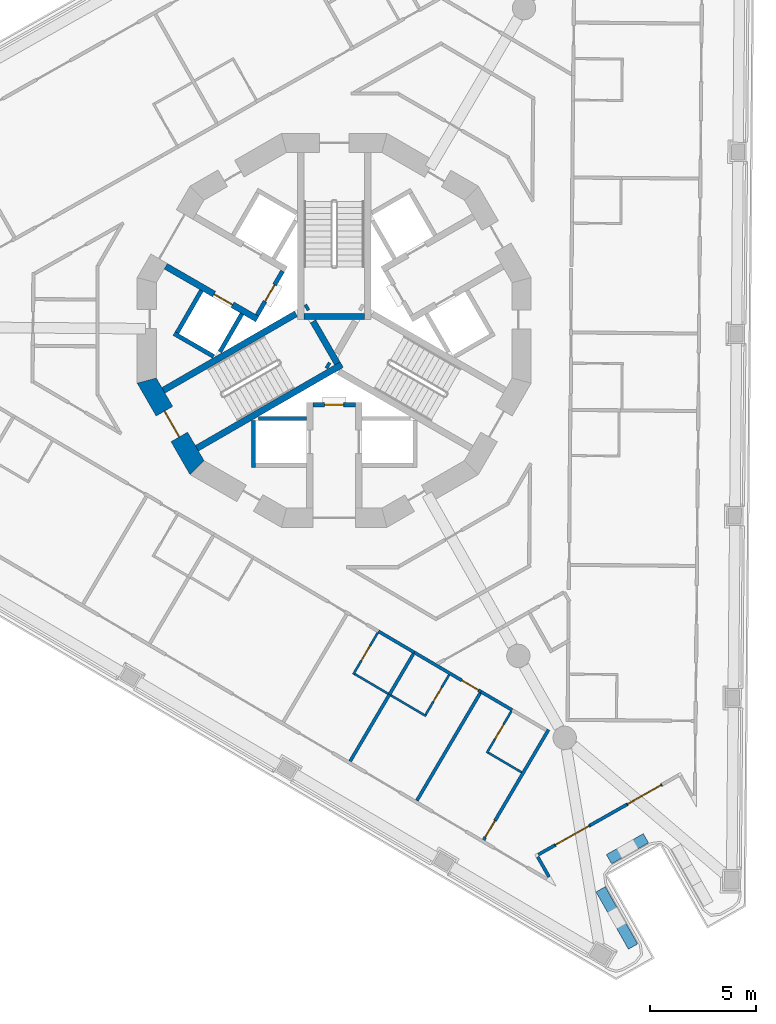
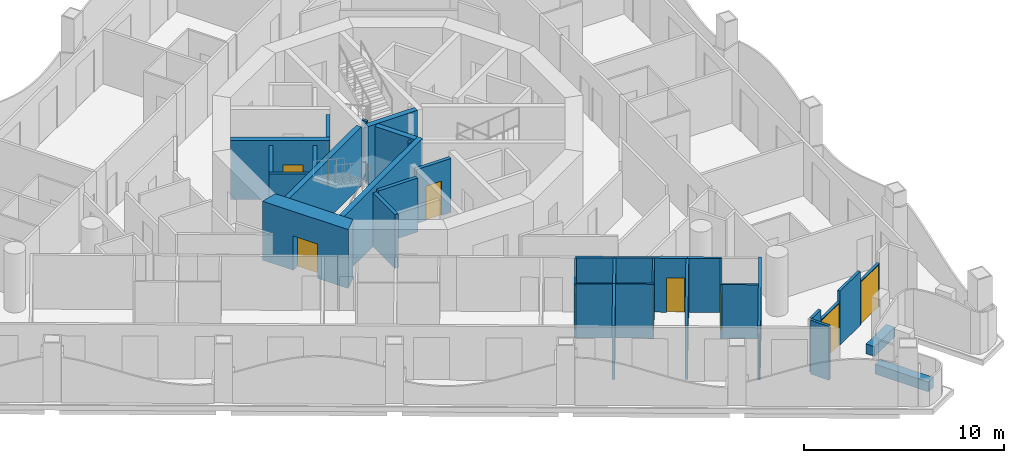
# One storey, part 4 of 17: 35 walls, 11 doors, 11 openings.
"""IFC4 building model written with IfcOpenShell, lengths in metres."""

import ifcopenshell
import ifcopenshell.guid

model = None  # the IFC model being written
_history = None  # IfcOwnerHistory: only IFC2X3 demands one
_inside = {}  # id of a spatial element -> (the spatial element, [elements in it])
_under = {}  # id of a project, library or spatial element -> (it, [spatial elements below it])
_declared = {}  # id of a project -> (the project, [libraries it declares])
_typed = {}  # id of a type object -> (the type object, [elements of that type])
_made_of = {}  # id of a material, layer set ... -> (it, [elements and type objects made of it])


def new_model(schema):
    """Start an empty IFC model of exactly this schema.

    Asked for "IFC4X3", IfcOpenShell would pick the latest addendum, in which some entities
    have other attributes; the version numbers below select the first issue.
    IFC2X3 requires an IfcOwnerHistory on every rooted entity: one is made here for all.
    """
    global model, _history
    if schema == "IFC4X3":
        model = ifcopenshell.file(schema_version=(4, 3, 0, 0))
    else:
        model = ifcopenshell.file(schema=schema)
    _inside.clear()
    _under.clear()
    _declared.clear()
    _typed.clear()
    _made_of.clear()
    _history = None
    if model.schema == "IFC2X3":
        org = make("IfcOrganization", Name="unknown")
        user = make(
            "IfcPersonAndOrganization",
            ThePerson=make("IfcPerson", FamilyName="unknown"),
            TheOrganization=org,
        )
        app = make(
            "IfcApplication",
            ApplicationDeveloper=org,
            Version="unknown",
            ApplicationFullName="unknown",
            ApplicationIdentifier="unknown",
        )
        _history = make(
            "IfcOwnerHistory",
            OwningUser=user,
            OwningApplication=app,
            ChangeAction="ADDED",
            CreationDate=0,
        )
    return model


def make(cls, **values):
    """One entity of the class cls with the attributes given. An attribute that is None is left unset."""
    return model.create_entity(
        cls, **{name: value for name, value in values.items() if value is not None}
    )


def rooted(cls, **values):
    """An entity with a GlobalId (a new one), such as an element, a storey or a relation."""
    return make(cls, GlobalId=ifcopenshell.guid.new(), OwnerHistory=_history, **values)


def si_unit(unit_type, name, prefix=None):
    """IfcSIUnit, for example si_unit("LENGTHUNIT", "METRE", prefix="MILLI")."""
    return make("IfcSIUnit", UnitType=unit_type, Prefix=prefix, Name=name)


def assignment(units):
    """IfcUnitAssignment: the units of a project."""
    return None if units is None else make("IfcUnitAssignment", Units=units)


def point(xyz):
    """IfcCartesianPoint."""
    return None if xyz is None else make("IfcCartesianPoint", Coordinates=xyz)


def direction(xyz):
    """IfcDirection."""
    return None if xyz is None else make("IfcDirection", DirectionRatios=xyz)


def frame(location, z_axis=None, x_axis=None):
    """IfcAxis2Placement3D, a coordinate frame: its origin and axes. An axis left out is left unset."""
    return make(
        "IfcAxis2Placement3D",
        Location=point(location),
        Axis=direction(z_axis),
        RefDirection=direction(x_axis),
    )


def frame_2d(location, x_axis=None):
    """IfcAxis2Placement2D, a coordinate frame in the plane: its origin and x axis."""
    return make(
        "IfcAxis2Placement2D", Location=point(location), RefDirection=direction(x_axis)
    )


def origin():
    """The frame at (0, 0, 0) with its axes left unset."""
    return frame((0.0, 0.0, 0.0))


def place(relative_to, where):
    """IfcLocalPlacement: puts the frame where relative to a parent placement (None: the world)."""
    return make(
        "IfcLocalPlacement", PlacementRelTo=relative_to, RelativePlacement=where
    )


def context(
    kind, dimensions, precision=None, world=None, true_north=None, identifier=None
):
    """IfcGeometricRepresentationContext, for example the 3D "Model" context."""
    return make(
        "IfcGeometricRepresentationContext",
        ContextIdentifier=identifier,
        ContextType=kind,
        CoordinateSpaceDimension=dimensions,
        Precision=precision,
        WorldCoordinateSystem=world,
        TrueNorth=true_north,
    )


def subcontext(parent, identifier, kind, view, scale=None):
    """IfcGeometricRepresentationSubContext, for example "Body" below "Model"."""
    return make(
        "IfcGeometricRepresentationSubContext",
        ContextIdentifier=identifier,
        ContextType=kind,
        ParentContext=parent,
        TargetScale=scale,
        TargetView=view,
    )


def project(units=None, contexts=None):
    """IfcProject with its units and contexts."""
    return rooted(
        "IfcProject",
        Name="project",
        RepresentationContexts=contexts,
        UnitsInContext=assignment(units),
    )


def spatial(cls, under=None, at=None, **own):
    """A site, building, storey or space (cls), placed at a placement, below another one or the project."""
    s = rooted(cls, ObjectPlacement=at, **own)
    if under is not None:
        _under.setdefault(under.id(), (under, []))[1].append(s)
    return s


def polyline(points):
    """IfcPolyline through the points."""
    return make("IfcPolyline", Points=[point(p) for p in points])


def profile(cls, at=None, kind="AREA", **sizes):
    """A parametric profile (cls). Its sizes go by their IFC names, for example OverallWidth=200.0."""
    return make(cls, ProfileType=kind, Position=at, **sizes)


def rectangle(**sizes):
    """IfcRectangleProfileDef."""
    return profile("IfcRectangleProfileDef", **sizes)


def outline(outer, holes=None, kind="AREA"):
    """IfcArbitraryClosedProfileDef: a profile drawn as a closed curve; with holes, ...WithVoids."""
    if holes is None:
        return make("IfcArbitraryClosedProfileDef", ProfileType=kind, OuterCurve=outer)
    return make(
        "IfcArbitraryProfileDefWithVoids",
        ProfileType=kind,
        OuterCurve=outer,
        InnerCurves=holes,
    )


def extrude(swept, where, along, depth):
    """IfcExtrudedAreaSolid: the profile swept, set in the frame where, extruded along a direction by depth."""
    return make(
        "IfcExtrudedAreaSolid",
        SweptArea=swept,
        Position=where,
        ExtrudedDirection=direction(along),
        Depth=depth,
    )


def shape(context_of_items, identifier, shape_type, items):
    """IfcShapeRepresentation: the items that make up one representation, for example the "Body"."""
    return make(
        "IfcShapeRepresentation",
        ContextOfItems=context_of_items,
        RepresentationIdentifier=identifier,
        RepresentationType=shape_type,
        Items=items,
    )


def material(Name=None, Category=None):
    """IfcMaterial."""
    return make("IfcMaterial", Name=Name, Category=Category)


def layer(
    of_material, thickness, ventilated=None, Name=None, Category=None, Priority=None
):
    """IfcMaterialLayer: one layer of a wall or slab, of a material (None: an air gap)."""
    return make(
        "IfcMaterialLayer",
        Material=of_material,
        LayerThickness=thickness,
        IsVentilated=ventilated,
        Name=Name,
        Category=Category,
        Priority=Priority,
    )


def layer_set(layers, Name=None):
    """IfcMaterialLayerSet."""
    return make("IfcMaterialLayerSet", MaterialLayers=layers, LayerSetName=Name)


def made_of(thing, what):
    """Note that an element or type object is made of a material, layer set ...; save() writes the relation."""
    if what is not None:
        _made_of.setdefault(what.id(), (what, []))[1].append(thing)
    return thing


def type_object(cls, material=None, **own):
    """A type object (cls), such as IfcWallType, which elements share."""
    return made_of(rooted(cls, **own), material)


def element(
    cls,
    number,
    at=None,
    inside=None,
    cuts=None,
    type_object=None,
    material=None,
    context=None,
    identifier="Body",
    shape_type=None,
    held_by="IfcProductDefinitionShape",
    body=None,
    shapes=None,
    **own,
):
    """One element of the class cls, such as IfcWall. Its Tag is "e" and its number.

    at: its placement. inside: the storey or other place that contains it. cuts: it is an
    opening in that element (IfcRelVoidsElement). A single representation is given by context,
    identifier, shape_type and body (its items); several are given by shapes. held_by: the class
    of the entity that holds the representations. save() writes the other relations.
    """
    e = rooted(cls, Tag="e%d" % number, ObjectPlacement=at, **own)
    if body is not None:
        shapes = [shape(context, identifier, shape_type, body)]
    if shapes is not None:
        e.Representation = make(held_by, Representations=shapes)
    if inside is not None:
        _inside.setdefault(inside.id(), (inside, []))[1].append(e)
    if cuts is not None:
        rooted(
            "IfcRelVoidsElement", RelatingBuildingElement=cuts, RelatedOpeningElement=e
        )
    if type_object is not None:
        _typed.setdefault(type_object.id(), (type_object, []))[1].append(e)
    return made_of(e, material)


def fill(opening, filler):
    """IfcRelFillsElement: the door or window that sits in an opening."""
    return rooted(
        "IfcRelFillsElement",
        RelatingOpeningElement=opening,
        RelatedBuildingElement=filler,
    )


def aggregate(whole, parts):
    """IfcRelAggregates: a whole, such as a stair, and the parts it consists of."""
    return rooted("IfcRelAggregates", RelatingObject=whole, RelatedObjects=parts)


def save(model, path):
    """Write the relations noted so far, then the file.

    IfcRelAggregates (storeys below a building ...), IfcRelContainedInSpatialStructure (elements
    in a storey), IfcRelDefinesByType, IfcRelAssociatesMaterial and IfcRelDeclares: one each for
    every whole, place, type object, material and project.
    """
    for whole, parts in _under.values():
        aggregate(whole, parts)
    for where, things in _inside.values():
        rooted(
            "IfcRelContainedInSpatialStructure",
            RelatedElements=things,
            RelatingStructure=where,
        )
    for kind, things in _typed.values():
        rooted("IfcRelDefinesByType", RelatedObjects=things, RelatingType=kind)
    for what, things in _made_of.values():
        rooted("IfcRelAssociatesMaterial", RelatedObjects=things, RelatingMaterial=what)
    for by, libraries in _declared.values():
        rooted("IfcRelDeclares", RelatingContext=by, RelatedDefinitions=libraries)
    model.write(path)


model = new_model("IFC4")

# Units and contexts
model_context = context("Model", 3, precision=1e-05, world=origin(), true_north=direction((0.0, 1.0)))
body_context = subcontext(model_context, "Body", "Model", "MODEL_VIEW")
ifc_project = project(units=[si_unit("LENGTHUNIT", "METRE"), si_unit("AREAUNIT", "SQUARE_METRE"), si_unit("VOLUMEUNIT", "CUBIC_METRE"), si_unit("PLANEANGLEUNIT", "RADIAN"), si_unit("MASSUNIT", "GRAM", prefix="KILO")], contexts=[model_context])

# Site, building, storey
site_placement = place(None, origin())
site = spatial("IfcSite", under=ifc_project, at=site_placement, CompositionType="ELEMENT")
building_placement = place(site_placement, origin())
building = spatial("IfcBuilding", under=site, at=building_placement, Name="Trine Commons Tower", CompositionType="ELEMENT")
storey_placement = place(building_placement, frame((0.0, 0.0, 164.699951171875)))
storey = spatial("IfcBuildingStorey", under=building, at=storey_placement, Name="L42", CompositionType="ELEMENT", Elevation=164.699951171875)

# Wall, opening, door
ifc_material_1 = material(Name="Aluminium-framed insulated wall panel", Category="aluminium")
ifc_layer_1 = layer(ifc_material_1, 0.14990234375)
ifc_layer_set_1 = layer_set([ifc_layer_1], Name="Aluminium-framed insulated wall panel")
wall_type_1 = type_object("IfcWallType", Name="Glazed frame wall 150, EI 60", PredefinedType="SOLIDWALL", material=ifc_layer_set_1)
wall_1_placement = place(storey_placement, frame((95.430419921875, 41.115966796875, 0.0), z_axis=(0.0, 0.0, 1.0), x_axis=(-0.870354540841, -0.492425601728, 0.0)))
wall_1 = element("IfcWall", 1, at=wall_1_placement, inside=storey, type_object=wall_type_1, Name="Glazed frame wall P3.2", PredefinedType="SOLIDWALL", context=body_context, shape_type="SweptSolid", body=[
    extrude(outline(polyline([(0.0, -0.074951171875), (1.89990234375, -0.074951171875), (1.89990234375, 0.074951171875), (0.0, 0.074951171875), (0.0, -0.074951171875)])), origin(), (0.0, 0.0, 1.0), 2.650146484375),
])
opening_1_placement = place(wall_1_placement, frame((0.050048828125, 0.0, 0.0)))
opening_1 = element("IfcOpeningElement", 2, at=opening_1_placement, cuts=wall_1, Name="Opening BD-5P3-01", PredefinedType="OPENING", context=body_context, shape_type="SweptSolid", body=[
    extrude(rectangle(XDim=1.800048828125, YDim=2.60009765625, at=frame_2d((0.89990234375, 1.300048828125))), frame((0.0, 0.0849609375, 0.0), z_axis=(0.0, -1.0, 0.0), x_axis=(1.0, 0.0, 0.0)), (0.0, 0.0, 1.0), 0.169921875),
])
ifc_material_2 = material(Name="Anodised aluminium frame with double glazing", Category="aluminium")
door_type_1 = type_object("IfcDoorType", Name="Sliding loggia door 1800x2600", OperationType="SLIDING_TO_LEFT", PredefinedType="DOOR", material=ifc_material_2)
door_1_placement = place(opening_1_placement, origin())
door_1 = element("IfcDoor", 3, at=door_1_placement, inside=storey, type_object=door_type_1, Name="Loggia door P3 1", OperationType="SLIDING_TO_LEFT", OverallHeight=2.60009765625, OverallWidth=1.800048828125, PredefinedType="DOOR", context=body_context, shape_type="SweptSolid", body=[
    extrude(rectangle(XDim=1.800048828125, YDim=2.60009765625, at=frame_2d((0.89990234375, 1.300048828125))), frame((0.0, 0.02490234375, 0.0), z_axis=(0.0, -1.0, 0.0), x_axis=(1.0, 0.0, 0.0)), (0.0, 0.0, 1.0), 0.050048828125),
])
fill(opening_1, door_1)

# Wall
wall_2_placement = place(storey_placement, frame((93.77685546875, 40.180419921875, 0.0), z_axis=(0.0, 0.0, 1.0), x_axis=(-0.870353598469, -0.492427267353, 0.0)))
element("IfcWall", 4, at=wall_2_placement, inside=storey, type_object=wall_type_1, Name="Glazed frame wall P3.3", PredefinedType="SOLIDWALL", context=body_context, shape_type="SweptSolid", body=[
    extrude(outline(polyline([(0.0, -0.074951171875), (2.0, -0.074951171875), (2.0, 0.074951171875), (0.0, 0.074951171875), (0.0, -0.074951171875)])), origin(), (0.0, 0.0, 1.0), 3.300048828125),
])

# Wall, opening, door
wall_3_placement = place(storey_placement, frame((92.0361328125, 39.195556640625, 0.0), z_axis=(0.0, 0.0, 1.0), x_axis=(-0.870385695537, -0.492370532226, 0.0)))
wall_3 = element("IfcWall", 5, at=wall_3_placement, inside=storey, type_object=wall_type_1, Name="Glazed frame wall P3.4", PredefinedType="SOLIDWALL", context=body_context, shape_type="SweptSolid", body=[
    extrude(outline(polyline([(0.0, -0.074951171875), (1.89990234375, -0.074951171875), (1.89990234375, 0.074951171875), (0.0, 0.074951171875), (0.0, -0.074951171875)])), origin(), (0.0, 0.0, 1.0), 2.650146484375),
])
opening_2_placement = place(wall_3_placement, frame((0.050048828125, 0.0, 0.0)))
opening_2 = element("IfcOpeningElement", 6, at=opening_2_placement, cuts=wall_3, Name="Opening BD-5P3-02", PredefinedType="OPENING", context=body_context, shape_type="SweptSolid", body=[
    extrude(rectangle(XDim=1.800048828125, YDim=2.60009765625, at=frame_2d((0.89990234375, 1.300048828125))), frame((0.0, 0.0849609375, 0.0), z_axis=(0.0, -1.0, 0.0), x_axis=(1.0, 0.0, 0.0)), (0.0, 0.0, 1.0), 0.169921875),
])
door_2_placement = place(opening_2_placement, origin())
door_2 = element("IfcDoor", 7, at=door_2_placement, inside=storey, type_object=door_type_1, Name="Loggia door P3 2", OperationType="SLIDING_TO_LEFT", OverallHeight=2.60009765625, OverallWidth=1.800048828125, PredefinedType="DOOR", context=body_context, shape_type="SweptSolid", body=[
    extrude(rectangle(XDim=1.800048828125, YDim=2.60009765625, at=frame_2d((0.89990234375, 1.300048828125))), frame((0.0, 0.02490234375, 0.0), z_axis=(0.0, -1.0, 0.0), x_axis=(1.0, 0.0, 0.0)), (0.0, 0.0, 1.0), 0.050048828125),
])
fill(opening_2, door_2)

# Walls
wall_4_placement = place(storey_placement, frame((90.38232421875, 38.260009765625, 0.0), z_axis=(0.0, 0.0, 1.0), x_axis=(-0.870294379776, -0.492531920316, 0.0)))
element("IfcWall", 8, at=wall_4_placement, inside=storey, type_object=wall_type_1, Name="Glazed frame wall P3.5", PredefinedType="SOLIDWALL", context=body_context, shape_type="SweptSolid", body=[
    extrude(outline(polyline([(0.889892578125, 0.074951171875), (0.0, 0.074951171875), (0.0, -0.074951171875), (0.889892578125, -0.074951171875), (0.889892578125, 0.074951171875)])), origin(), (0.0, 0.0, 1.0), 3.300048828125),
])
wall_5_placement = place(storey_placement, frame((89.525390625, 37.815185546875, 0.0), z_axis=(0.0, 0.0, 1.0), x_axis=(0.492302481267, -0.870424187933, 0.0)))
element("IfcWall", 9, at=wall_5_placement, inside=storey, type_object=wall_type_1, Name="Glazed frame wall R11", PredefinedType="SOLIDWALL", context=body_context, shape_type="SweptSolid", body=[
    extrude(outline(polyline([(0.110107421875, 0.074951171875), (0.110107421875, -0.074951171875), (1.19580078125, -0.074951171875), (1.19580078125, 0.074951171875), (0.110107421875, 0.074951171875)])), origin(), (0.0, 0.0, 1.0), 3.300048828125),
])

# Wall, opening, door
ifc_material_3 = material(Name="Fire-rated gypsum shaft wall system")
ifc_layer_2 = layer(ifc_material_3, 0.199951171875)
ifc_layer_set_2 = layer_set([ifc_layer_2], Name="Fire-rated gypsum shaft wall system")
wall_type_2 = type_object("IfcWallType", Name="Lobby end wall 200 mm, EI 120", PredefinedType="PARTITIONING", material=ifc_layer_set_2)
wall_6_placement = place(storey_placement, frame((77.569091796875, 65.2890625, 0.0), z_axis=(0.0, 0.0, 1.0), x_axis=(-0.50012165622, -0.865955154139, 0.0)))
wall_6 = element("IfcWall", 10, at=wall_6_placement, inside=storey, type_object=wall_type_2, Name="Lobby end wall L42", PredefinedType="PARTITIONING", context=body_context, shape_type="SweptSolid", body=[
    extrude(rectangle(XDim=2.39990234375, YDim=0.199951171875, at=frame_2d((1.199951171875, 0.0))), origin(), (0.0, 0.0, 1.0), 3.300048828125),
])
opening_3_placement = place(wall_6_placement, frame((0.749755859375, 0.0, 0.0)))
opening_3 = element("IfcOpeningElement", 11, at=opening_3_placement, cuts=wall_6, Name="Opening K09.07", PredefinedType="OPENING", context=body_context, shape_type="SweptSolid", body=[
    extrude(rectangle(XDim=0.89990234375, YDim=2.10009765625, at=frame_2d((0.449951171875, 1.050048828125))), frame((0.0, 0.10986328125, 0.0), z_axis=(0.0, -1.0, 0.0), x_axis=(1.0, 0.0, 0.0)), (0.0, 0.0, 1.0), 0.219970703125),
])
ifc_material_4 = material(Name="Steel door leaf, fire-rated", Category="steel")
door_type_2 = type_object("IfcDoorType", Name="Riser access door, single leaf 900 x 2100, FD60", OperationType="SINGLE_SWING_LEFT", PredefinedType="DOOR", material=ifc_material_4)
door_3_placement = place(opening_3_placement, frame((0.89990234375, 0.0, 0.0), z_axis=(0.0, 0.0, 1.0), x_axis=(-1.0, 0.0, 0.0)))
door_3 = element("IfcDoor", 12, at=door_3_placement, inside=storey, type_object=door_type_2, Name="Riser door, Mechanical riser L42", OperationType="SINGLE_SWING_RIGHT", OverallHeight=2.10009765625, OverallWidth=0.89990234375, PredefinedType="DOOR", context=body_context, shape_type="SweptSolid", body=[
    extrude(rectangle(XDim=0.89990234375, YDim=2.10009765625, at=frame_2d((0.449951171875, 1.050048828125))), frame((0.0, 0.02490234375, 0.0), z_axis=(0.0, -1.0, 0.0), x_axis=(1.0, 0.0, 0.0)), (0.0, 0.0, 1.0), 0.050048828125),
])
fill(opening_3, door_3)

wall_7_placement = place(storey_placement, frame((79.0, 59.0, 0.0), z_axis=(0.0, 0.0, 1.0), x_axis=(1.0, 0.0, 0.0)))
wall_7 = element("IfcWall", 13, at=wall_7_placement, inside=storey, type_object=wall_type_2, Name="Lobby end wall L42", PredefinedType="PARTITIONING", context=body_context, shape_type="SweptSolid", body=[
    extrude(rectangle(XDim=2.0, YDim=0.199951171875, at=frame_2d((1.0, 0.0))), origin(), (0.0, 0.0, 1.0), 3.300048828125),
])
opening_4_placement = place(wall_7_placement, frame((0.550048828125, 0.0, 0.0)))
opening_4 = element("IfcOpeningElement", 14, at=opening_4_placement, cuts=wall_7, Name="Opening K09.09", PredefinedType="OPENING", context=body_context, shape_type="SweptSolid", body=[
    extrude(rectangle(XDim=0.89990234375, YDim=2.10009765625, at=frame_2d((0.449951171875, 1.050048828125))), frame((0.0, 0.10986328125, 0.0), z_axis=(0.0, -1.0, 0.0), x_axis=(1.0, 0.0, 0.0)), (0.0, 0.0, 1.0), 0.219970703125),
])
door_4_placement = place(opening_4_placement, frame((0.89990234375, 0.0, 0.0), z_axis=(0.0, 0.0, 1.0), x_axis=(-1.0, 0.0, 0.0)))
door_4 = element("IfcDoor", 15, at=door_4_placement, inside=storey, type_object=door_type_2, Name="Riser door, Communications riser L42", OperationType="SINGLE_SWING_RIGHT", OverallHeight=2.10009765625, OverallWidth=0.89990234375, PredefinedType="DOOR", context=body_context, shape_type="SweptSolid", body=[
    extrude(rectangle(XDim=0.89990234375, YDim=2.10009765625, at=frame_2d((0.449951171875, 1.050048828125))), frame((0.0, 0.02490234375, 0.0), z_axis=(0.0, -1.0, 0.0), x_axis=(1.0, 0.0, 0.0)), (0.0, 0.0, 1.0), 0.050048828125),
])
fill(opening_4, door_4)

# Walls
ifc_material_5 = material(Name="Planter trough, precast concrete C40/50", Category="concrete")
ifc_layer_3 = layer(ifc_material_5, 0.5)
ifc_layer_set_3 = layer_set([ifc_layer_3], Name="Planter trough, precast concrete C40/50")
wall_type_3 = type_object("IfcWallType", Name="Planter trough 500x600", PredefinedType="PARAPET", material=ifc_layer_set_3)
wall_8_placement = place(storey_placement, frame((94.67529296875, 38.592041015625, 0.0), z_axis=(0.0, 0.0, 1.0), x_axis=(-0.870323993841, -0.492479589165, 0.0)))
element("IfcWall", 16, at=wall_8_placement, inside=storey, type_object=wall_type_3, Name="Planter 8", PredefinedType="PARAPET", context=body_context, shape_type="SweptSolid", body=[
    extrude(rectangle(XDim=1.999755859375, YDim=0.5, at=frame_2d((1.0, 0.0))), origin(), (0.0, 0.0, 1.0), 0.60009765625),
])
wall_9_placement = place(storey_placement, frame((92.541748046875, 36.189697265625, 0.0), z_axis=(0.0, 0.0, 1.0), x_axis=(0.492402381783, -0.870367677717, 0.0)))
element("IfcWall", 17, at=wall_9_placement, inside=storey, type_object=wall_type_3, Name="Planter 9", PredefinedType="PARAPET", context=body_context, shape_type="SweptSolid", body=[
    extrude(rectangle(XDim=3.099853515625, YDim=0.5, at=frame_2d((1.5498046875, 0.0))), origin(), (0.0, 0.0, 1.0), 0.60009765625),
])

# Wall, opening, door
ifc_material_6 = material(Name="Concrete C60/75", Category="concrete")
ifc_layer_4 = layer(ifc_material_6, 0.300048828125)
ifc_layer_set_4 = layer_set([ifc_layer_4], Name="Concrete C60/75")
wall_type_4 = type_object("IfcWallType", Name="RC shear wall 300 mm, C60/75", PredefinedType="SHEAR", material=ifc_layer_set_4)
wall_10_placement = place(storey_placement, frame((76.381103515625, 63.031005859375, 0.0), z_axis=(0.0, 0.0, 1.0), x_axis=(-0.866080953719, 0.499903772346, 0.0)))
wall_10 = element("IfcWall", 18, at=wall_10_placement, inside=storey, type_object=wall_type_4, Name="Core cross wall SWB-01 L42", PredefinedType="SHEAR", context=body_context, shape_type="SweptSolid", body=[
    extrude(rectangle(XDim=4.97314453125, YDim=0.300048828125, at=frame_2d((2.486572265625, 0.0))), origin(), (0.0, 0.0, 1.0), 3.60009765625),
])
opening_5_placement = place(wall_10_placement, frame((1.350341796875, 0.0, 0.0)))
opening_5 = element("IfcOpeningElement", 19, at=opening_5_placement, cuts=wall_10, Name="Opening LD7", PredefinedType="OPENING", context=body_context, shape_type="SweptSolid", body=[
    extrude(rectangle(XDim=1.0, YDim=2.10009765625, at=frame_2d((0.5, 1.050048828125))), frame((0.0, 0.159912109375, 0.0), z_axis=(0.0, -1.0, 0.0), x_axis=(1.0, 0.0, 0.0)), (0.0, 0.0, 1.0), 0.320068359375),
])
ifc_material_7 = material(Name="Stainless steel sliding door leaves", Category="steel")
door_type_3 = type_object("IfcDoorType", Name="Lift landing door, centre-opening sliding 1000 x 2100, FD90", OperationType="DOUBLE_DOOR_SLIDING", PredefinedType="DOOR", material=ifc_material_7)
door_5_placement = place(opening_5_placement, origin())
door_5 = element("IfcDoor", 20, at=door_5_placement, inside=storey, type_object=door_type_3, Name="Lift landing door HR3 L42", OperationType="DOUBLE_DOOR_SLIDING", OverallHeight=2.10009765625, OverallWidth=1.0, PredefinedType="DOOR", context=body_context, shape_type="SweptSolid", body=[
    extrude(rectangle(XDim=1.0, YDim=2.10009765625, at=frame_2d((0.5, 1.050048828125))), frame((0.0, 0.02490234375, 0.0), z_axis=(0.0, -1.0, 0.0), x_axis=(1.0, 0.0, 0.0)), (0.0, 0.0, 1.0), 0.050048828125),
])
fill(opening_5, door_5)

# Walls
wall_11_placement = place(storey_placement, frame((78.199951171875, 63.280029296875, 0.0), z_axis=(0.0, 0.0, 1.0), x_axis=(-0.866028135082, -0.499995269223, 0.0)))
element("IfcWall", 21, at=wall_11_placement, inside=storey, type_object=wall_type_4, Name="Core cross wall SWB-07 L42", PredefinedType="SHEAR", context=body_context, shape_type="SweptSolid", body=[
    extrude(rectangle(XDim=7.2041015625, YDim=0.300048828125, at=frame_2d((3.60205078125, 0.0))), origin(), (0.0, 0.0, 1.0), 3.60009765625),
])
wall_12_placement = place(storey_placement, frame((78.779052734375, 63.614013671875, 0.0), z_axis=(0.0, 0.0, 1.0), x_axis=(-0.867737973955, -0.497021939713, 0.0)))
element("IfcWall", 22, at=wall_12_placement, inside=storey, type_object=wall_type_4, Name="Core cross wall SWB-09 L42", PredefinedType="SHEAR", context=body_context, shape_type="SweptSolid", body=[
    extrude(rectangle(XDim=0.14892578125, YDim=0.300048828125, at=frame_2d((0.074462890625, 0.0))), origin(), (0.0, 0.0, 1.0), 3.60009765625),
])
wall_13_placement = place(storey_placement, frame((79.0029296875, 62.926025390625, 0.0), z_axis=(0.0, 0.0, 1.0), x_axis=(0.499965247104, -0.866045467449, 0.0)))
element("IfcWall", 23, at=wall_13_placement, inside=storey, type_object=wall_type_4, Name="Core cross wall SWB-10 L42", PredefinedType="SHEAR", context=body_context, shape_type="SweptSolid", body=[
    extrude(rectangle(XDim=2.292236328125, YDim=0.300048828125, at=frame_2d((1.14599609375, 0.0))), origin(), (0.0, 0.0, 1.0), 3.60009765625),
])
wall_14_placement = place(storey_placement, frame((79.64599609375, 60.885986328125, 0.0), z_axis=(0.0, 0.0, 1.0), x_axis=(0.867331893649, -0.497730234424, 0.0)))
element("IfcWall", 24, at=wall_14_placement, inside=storey, type_object=wall_type_4, Name="Core cross wall SWB-11 L42", PredefinedType="SHEAR", context=body_context, shape_type="SweptSolid", body=[
    extrude(rectangle(XDim=0.148681640625, YDim=0.300048828125, at=frame_2d((0.07421875, 0.0))), origin(), (0.0, 0.0, 1.0), 3.60009765625),
])
wall_15_placement = place(storey_placement, frame((80.35400390625, 60.885986328125, 0.0), z_axis=(0.0, 0.0, 1.0), x_axis=(-0.866047706748, -0.499961368145, 0.0)))
element("IfcWall", 25, at=wall_15_placement, inside=storey, type_object=wall_type_4, Name="Core cross wall SWB-14 L42", PredefinedType="SHEAR", context=body_context, shape_type="SweptSolid", body=[
    extrude(rectangle(XDim=7.87255859375, YDim=0.300048828125, at=frame_2d((3.936279296875, 0.0))), origin(), (0.0, 0.0, 1.0), 3.60009765625),
])
wall_16_placement = place(storey_placement, frame((81.425048828125, 63.15087890625, 0.0), z_axis=(0.0, 0.0, 1.0), x_axis=(-1.0, 0.0, 0.0)))
element("IfcWall", 26, at=wall_16_placement, inside=storey, type_object=wall_type_4, Name="Core cross wall SWB-16 L42", PredefinedType="SHEAR", context=body_context, shape_type="SweptSolid", body=[
    extrude(rectangle(XDim=2.85009765625, YDim=0.300048828125, at=frame_2d((1.425048828125, 0.0))), origin(), (0.0, 0.0, 1.0), 3.60009765625),
])

# Wall, opening, door
ifc_layer_5 = layer(ifc_material_6, 0.89990234375)
ifc_layer_set_5 = layer_set([ifc_layer_5], Name="Concrete C60/75")
wall_type_5 = type_object("IfcWallType", Name="RC shear wall 900 mm, C60/75", PredefinedType="SHEAR", material=ifc_layer_set_5)
wall_17_placement = place(storey_placement, frame((71.11669921875, 60.240234375, 0.0), z_axis=(0.0, 0.0, 1.0), x_axis=(0.500038571144, -0.866003133579, 0.0)))
wall_17 = element("IfcWall", 27, at=wall_17_placement, inside=storey, type_object=wall_type_5, Name="Core wall CWE-08 L42", PredefinedType="SHEAR", context=body_context, shape_type="SweptSolid", body=[
    extrude(outline(polyline([(0.0, -0.449951171875), (4.96923828125, -0.449951171875), (4.72802734375, 0.449951171875), (0.2412109375, 0.449951171875), (0.0, -0.449951171875)])), origin(), (0.0, 0.0, 1.0), 3.60009765625),
])
opening_6_placement = place(wall_17_placement, frame((1.78466796875, 0.0, 0.0)))
opening_6 = element("IfcOpeningElement", 28, at=opening_6_placement, cuts=wall_17, Name="Opening K09.02", PredefinedType="OPENING", context=body_context, shape_type="SweptSolid", body=[
    extrude(rectangle(XDim=1.39990234375, YDim=2.10009765625, at=frame_2d((0.699951171875, 1.050048828125))), frame((0.0, 0.4599609375, 0.0), z_axis=(0.0, -1.0, 0.0), x_axis=(1.0, 0.0, 0.0)), (0.0, 0.0, 1.0), 0.919921875),
])
ifc_material_8 = material(Name="Steel door leaves, fire-rated", Category="steel")
door_type_4 = type_object("IfcDoorType", Name="Stair door, double leaf 1400 x 2100, FD90", OperationType="DOUBLE_DOOR_SINGLE_SWING", PredefinedType="DOOR", material=ifc_material_8)
door_6_placement = place(opening_6_placement, origin())
door_6 = element("IfcDoor", 29, at=door_6_placement, inside=storey, type_object=door_type_4, Name="Stair door to Exit stair ST2B L42", OperationType="DOUBLE_DOOR_SINGLE_SWING", OverallHeight=2.10009765625, OverallWidth=1.39990234375, PredefinedType="DOOR", context=body_context, shape_type="SweptSolid", body=[
    extrude(rectangle(XDim=1.39990234375, YDim=2.10009765625, at=frame_2d((0.699951171875, 1.050048828125))), frame((0.0, 0.02490234375, 0.0), z_axis=(0.0, -1.0, 0.0), x_axis=(1.0, 0.0, 0.0)), (0.0, 0.0, 1.0), 0.050048828125),
])
fill(opening_6, door_6)

# Walls
ifc_layer_6 = layer(ifc_material_3, 0.199951171875)
ifc_layer_set_6 = layer_set([ifc_layer_6], Name="Fire-rated gypsum shaft wall system")
wall_type_6 = type_object("IfcWallType", Name="Shaft wall 200 mm, EI 120", PredefinedType="PARTITIONING", material=ifc_layer_set_6)
wall_18_placement = place(storey_placement, frame((73.7509765625, 64.3759765625, 0.0), z_axis=(0.0, 0.0, 1.0), x_axis=(-0.500136062276, -0.86594683394, 0.0)))
element("IfcWall", 30, at=wall_18_placement, inside=storey, type_object=wall_type_6, Name="Shaft wall L42", PredefinedType="PARTITIONING", context=body_context, shape_type="SweptSolid", body=[
    extrude(rectangle(XDim=2.299072265625, YDim=0.199951171875, at=frame_2d((1.1494140625, 0.0))), origin(), (0.0, 0.0, 1.0), 3.300048828125),
])
wall_19_placement = place(storey_placement, frame((74.324951171875, 61.27392578125, 0.0), z_axis=(0.0, 0.0, 1.0), x_axis=(-0.866102336459, 0.499866725018, 0.0)))
element("IfcWall", 31, at=wall_19_placement, inside=storey, type_object=wall_type_6, Name="Shaft wall L42", PredefinedType="PARTITIONING", context=body_context, shape_type="SweptSolid", body=[
    extrude(rectangle(XDim=2.1484375, YDim=0.199951171875, at=frame_2d((1.07421875, 0.0))), origin(), (0.0, 0.0, 1.0), 3.300048828125),
])
wall_20_placement = place(storey_placement, frame((75.656005859375, 63.27587890625, 0.0), z_axis=(0.0, 0.0, 1.0), x_axis=(-0.500271688072, -0.86586848777, 0.0)))
element("IfcWall", 32, at=wall_20_placement, inside=storey, type_object=wall_type_6, Name="Shaft wall L42", PredefinedType="PARTITIONING", context=body_context, shape_type="SweptSolid", body=[
    extrude(rectangle(XDim=2.064697265625, YDim=0.199951171875, at=frame_2d((1.0322265625, 0.0))), origin(), (0.0, 0.0, 1.0), 3.300048828125),
])
wall_21_placement = place(storey_placement, frame((76.199951171875, 58.257080078125, 0.0), z_axis=(0.0, 0.0, 1.0), x_axis=(0.0, -1.0, 0.0)))
element("IfcWall", 33, at=wall_21_placement, inside=storey, type_object=wall_type_6, Name="Shaft wall L42", PredefinedType="PARTITIONING", context=body_context, shape_type="SweptSolid", body=[
    extrude(rectangle(XDim=2.20703125, YDim=0.199951171875, at=frame_2d((1.103515625, 0.0))), origin(), (0.0, 0.0, 1.0), 3.300048828125),
])
wall_22_placement = place(storey_placement, frame((78.699951171875, 58.35009765625, 0.0), z_axis=(0.0, 0.0, 1.0), x_axis=(-1.0, 0.0, 0.0)))
element("IfcWall", 34, at=wall_22_placement, inside=storey, type_object=wall_type_6, Name="Shaft wall L42", PredefinedType="PARTITIONING", context=body_context, shape_type="SweptSolid", body=[
    extrude(rectangle(XDim=2.264892578125, YDim=0.199951171875, at=frame_2d((1.13232421875, 0.0))), origin(), (0.0, 0.0, 1.0), 3.300048828125),
])
ifc_material_9 = material(Name="Gypsum plasterboard on steel stud", Category="steel")
ifc_layer_7 = layer(ifc_material_9, 0.14990234375)
ifc_layer_set_7 = layer_set([ifc_layer_7], Name="Gypsum plasterboard on steel stud")
wall_type_7 = type_object("IfcWallType", Name="Unit and corridor wall 150 mm, EI 60", PredefinedType="PARTITIONING", material=ifc_layer_set_7)
wall_23_placement = place(storey_placement, frame((80.750244140625, 42.215576171875, 0.0), z_axis=(0.0, 0.0, 1.0), x_axis=(0.507590300209, 0.861598564956, 0.0)))
element("IfcWall", 35, at=wall_23_placement, inside=storey, type_object=wall_type_7, Name="Partition 066", PredefinedType="PARTITIONING", context=body_context, shape_type="SweptSolid", body=[
    extrude(rectangle(XDim=3.648193359375, YDim=0.14990234375, at=frame_2d((1.82421875, 0.0))), origin(), (0.0, 0.0, 1.0), 3.300048828125),
])
wall_24_placement = place(storey_placement, frame((82.0859375, 48.3330078125, 0.0), z_axis=(0.0, 0.0, 1.0), x_axis=(0.861462455733, -0.507821265174, 0.0)))
element("IfcWall", 36, at=wall_24_placement, inside=storey, type_object=wall_type_7, Name="Partition 074", PredefinedType="PARTITIONING", context=body_context, shape_type="SweptSolid", body=[
    extrude(rectangle(XDim=1.957275390625, YDim=0.14990234375, at=frame_2d((0.978515625, 0.0))), origin(), (0.0, 0.0, 1.0), 3.300048828125),
])
wall_25_placement = place(storey_placement, frame((82.60205078125, 45.35888671875, 0.0), z_axis=(0.0, 0.0, 1.0), x_axis=(0.507346148222, 0.8617423547, 0.0)))
element("IfcWall", 37, at=wall_25_placement, inside=storey, type_object=wall_type_7, Name="Partition 075", PredefinedType="PARTITIONING", context=body_context, shape_type="SweptSolid", body=[
    extrude(rectangle(XDim=2.22509765625, YDim=0.14990234375, at=frame_2d((1.112548828125, 0.0))), origin(), (0.0, 0.0, 1.0), 3.300048828125),
])

# Wall, opening, door
wall_26_placement = place(storey_placement, frame((83.76611328125, 47.343017578125, 0.0), z_axis=(0.0, 0.0, 1.0), x_axis=(0.861641853319, -0.507516814115, 0.0)))
wall_26 = element("IfcWall", 38, at=wall_26_placement, inside=storey, type_object=wall_type_7, Name="Partition 080", PredefinedType="PARTITIONING", context=body_context, shape_type="SweptSolid", body=[
    extrude(rectangle(XDim=3.651123046875, YDim=0.14990234375, at=frame_2d((1.82568359375, 0.0))), origin(), (0.0, 0.0, 1.0), 3.300048828125),
])
opening_7_placement = place(wall_26_placement, frame((2.60107421875, 0.0, 0.0)))
opening_7 = element("IfcOpeningElement", 39, at=opening_7_placement, cuts=wall_26, Name="Opening D-5A20", PredefinedType="OPENING", context=body_context, shape_type="SweptSolid", body=[
    extrude(rectangle(XDim=0.89990234375, YDim=2.10009765625, at=frame_2d((0.449951171875, 1.050048828125))), frame((0.0, 0.0849609375, 0.0), z_axis=(0.0, -1.0, 0.0), x_axis=(1.0, 0.0, 0.0)), (0.0, 0.0, 1.0), 0.169921875),
])
ifc_material_10 = material(Name="Timber fire door set", Category="wood")
door_type_5 = type_object("IfcDoorType", Name="Bedroom door 900 x 2100, FD30S", OperationType="NOTDEFINED", PredefinedType="DOOR", material=ifc_material_10)
door_7_placement = place(opening_7_placement, frame((0.89990234375, 0.0, 0.0), z_axis=(0.0, 0.0, 1.0), x_axis=(-1.0, 0.0, 0.0)))
door_7 = element("IfcDoor", 40, at=door_7_placement, inside=storey, type_object=door_type_5, Name="Door D-5A20", OperationType="SINGLE_SWING_LEFT", OverallHeight=2.10009765625, OverallWidth=0.89990234375, PredefinedType="DOOR", context=body_context, shape_type="SweptSolid", body=[
    extrude(rectangle(XDim=0.89990234375, YDim=2.10009765625, at=frame_2d((0.449951171875, 1.050048828125))), frame((0.0, 0.02490234375, 0.0), z_axis=(0.0, -1.0, 0.0), x_axis=(1.0, 0.0, 0.0)), (0.0, 0.0, 1.0), 0.050048828125),
])
fill(opening_7, door_7)

# Walls
wall_27_placement = place(storey_placement, frame((83.892333984375, 40.364501953125, 0.0), z_axis=(0.0, 0.0, 1.0), x_axis=(0.507590384089, 0.86159851554, 0.0)))
element("IfcWall", 41, at=wall_27_placement, inside=storey, type_object=wall_type_7, Name="Partition 081", PredefinedType="PARTITIONING", context=body_context, shape_type="SweptSolid", body=[
    extrude(rectangle(XDim=5.873779296875, YDim=0.14990234375, at=frame_2d((2.93701171875, 0.0))), origin(), (0.0, 0.0, 1.0), 3.300048828125),
])
wall_28_placement = place(storey_placement, frame((86.912109375, 45.489990234375, 0.0), z_axis=(0.0, 0.0, 1.0), x_axis=(0.861583321685, -0.507616173693, 0.0)))
element("IfcWall", 42, at=wall_28_placement, inside=storey, type_object=wall_type_7, Name="Partition 091", PredefinedType="PARTITIONING", context=body_context, shape_type="SweptSolid", body=[
    extrude(rectangle(XDim=1.7001953125, YDim=0.14990234375, at=frame_2d((0.85009765625, 0.0))), origin(), (0.0, 0.0, 1.0), 3.300048828125),
])

# Wall, opening, door
wall_29_placement = place(storey_placement, frame((87.035400390625, 38.512451171875, 0.0), z_axis=(0.0, 0.0, 1.0), x_axis=(0.507392006532, 0.861715354225, 0.0)))
wall_29 = element("IfcWall", 43, at=wall_29_placement, inside=storey, type_object=wall_type_7, Name="Partition 092", PredefinedType="PARTITIONING", context=body_context, shape_type="SweptSolid", body=[
    extrude(rectangle(XDim=6.024169921875, YDim=0.14990234375, at=frame_2d((3.01220703125, 0.0))), origin(), (0.0, 0.0, 1.0), 3.300048828125),
])
opening_8_placement = place(wall_29_placement, frame((0.14990234375, 0.0, 0.0)))
opening_8 = element("IfcOpeningElement", 44, at=opening_8_placement, cuts=wall_29, Name="Opening D-5A19", PredefinedType="OPENING", context=body_context, shape_type="SweptSolid", body=[
    extrude(rectangle(XDim=0.89990234375, YDim=2.10009765625, at=frame_2d((0.449951171875, 1.050048828125))), frame((0.0, 0.0849609375, 0.0), z_axis=(0.0, -1.0, 0.0), x_axis=(1.0, 0.0, 0.0)), (0.0, 0.0, 1.0), 0.169921875),
])
door_8_placement = place(opening_8_placement, origin())
door_8 = element("IfcDoor", 45, at=door_8_placement, inside=storey, type_object=door_type_5, Name="Door D-5A19", OperationType="SINGLE_SWING_LEFT", OverallHeight=2.10009765625, OverallWidth=0.89990234375, PredefinedType="DOOR", context=body_context, shape_type="SweptSolid", body=[
    extrude(rectangle(XDim=0.89990234375, YDim=2.10009765625, at=frame_2d((0.449951171875, 1.050048828125))), frame((0.0, 0.02490234375, 0.0), z_axis=(0.0, -1.0, 0.0), x_axis=(1.0, 0.0, 0.0)), (0.0, 0.0, 1.0), 0.050048828125),
])
fill(opening_8, door_8)

ifc_layer_8 = layer(ifc_material_9, 0.10009765625)
ifc_layer_set_8 = layer_set([ifc_layer_8], Name="Gypsum plasterboard on steel stud")
wall_type_8 = type_object("IfcWallType", Name="Unit partition 100 mm, no rating", PredefinedType="PARTITIONING", material=ifc_layer_set_8)
wall_30_placement = place(storey_placement, frame((80.896484375, 46.305908203125, 0.0), z_axis=(0.0, 0.0, 1.0), x_axis=(0.507376506277, 0.861724480839, 0.0)))
wall_30 = element("IfcWall", 46, at=wall_30_placement, inside=storey, type_object=wall_type_8, Name="Partition 070", PredefinedType="PARTITIONING", context=body_context, shape_type="SweptSolid", body=[
    extrude(rectangle(XDim=2.275146484375, YDim=0.10009765625, at=frame_2d((1.1376953125, 0.0))), origin(), (0.0, 0.0, 1.0), 3.300048828125),
])
opening_9_placement = place(wall_30_placement, frame((0.762451171875, 0.0, 0.0)))
opening_9 = element("IfcOpeningElement", 47, at=opening_9_placement, cuts=wall_30, Name="Opening D-5A46", PredefinedType="OPENING", context=body_context, shape_type="SweptSolid", body=[
    extrude(rectangle(XDim=0.800048828125, YDim=2.10009765625, at=frame_2d((0.39990234375, 1.050048828125))), frame((0.0, 0.06005859375, 0.0), z_axis=(0.0, -1.0, 0.0), x_axis=(1.0, 0.0, 0.0)), (0.0, 0.0, 1.0), 0.1201171875),
])
ifc_material_11 = material(Name="Painted timber", Category="wood")
door_type_6 = type_object("IfcDoorType", Name="Internal door 800 x 2100, NOT RATED", OperationType="NOTDEFINED", PredefinedType="DOOR", material=ifc_material_11)
door_9_placement = place(opening_9_placement, origin())
door_9 = element("IfcDoor", 48, at=door_9_placement, inside=storey, type_object=door_type_6, Name="Door D-5A46", OperationType="SINGLE_SWING_RIGHT", OverallHeight=2.10009765625, OverallWidth=0.800048828125, PredefinedType="DOOR", context=body_context, shape_type="SweptSolid", body=[
    extrude(rectangle(XDim=0.800048828125, YDim=2.10009765625, at=frame_2d((0.39990234375, 1.050048828125))), frame((0.0, 0.02490234375, 0.0), z_axis=(0.0, -1.0, 0.0), x_axis=(1.0, 0.0, 0.0)), (0.0, 0.0, 1.0), 0.050048828125),
])
fill(opening_9, door_9)

# Walls
wall_31_placement = place(storey_placement, frame((80.965087890625, 46.323486328125, 0.0), z_axis=(0.0, 0.0, 1.0), x_axis=(0.861596974365, -0.507593000115, 0.0)))
element("IfcWall", 49, at=wall_31_placement, inside=storey, type_object=wall_type_8, Name="Partition 071", PredefinedType="PARTITIONING", context=body_context, shape_type="SweptSolid", body=[
    extrude(rectangle(XDim=1.82470703125, YDim=0.10009765625, at=frame_2d((0.912353515625, 0.0))), origin(), (0.0, 0.0, 1.0), 3.300048828125),
])
wall_32_placement = place(storey_placement, frame((82.66650390625, 45.321044921875, 0.0), z_axis=(0.0, 0.0, 1.0), x_axis=(0.861738513716, -0.507352672191, 0.0)))
element("IfcWall", 50, at=wall_32_placement, inside=storey, type_object=wall_type_8, Name="Partition 076", PredefinedType="PARTITIONING", context=body_context, shape_type="SweptSolid", body=[
    extrude(rectangle(XDim=1.9248046875, YDim=0.10009765625, at=frame_2d((0.96240234375, 0.0))), origin(), (0.0, 0.0, 1.0), 3.300048828125),
])

# Wall, opening, door
wall_33_placement = place(storey_placement, frame((84.307373046875, 44.4130859375, 0.0), z_axis=(0.0, 0.0, 1.0), x_axis=(0.507559836999, 0.861616510906, 0.0)))
wall_33 = element("IfcWall", 51, at=wall_33_placement, inside=storey, type_object=wall_type_8, Name="Partition 083", PredefinedType="PARTITIONING", context=body_context, shape_type="SweptSolid", body=[
    extrude(rectangle(XDim=2.174072265625, YDim=0.10009765625, at=frame_2d((1.0869140625, 0.0))), origin(), (0.0, 0.0, 1.0), 3.300048828125),
])
opening_10_placement = place(wall_33_placement, frame((0.68701171875, 0.0, 0.0)))
opening_10 = element("IfcOpeningElement", 52, at=opening_10_placement, cuts=wall_33, Name="Opening D-5A45", PredefinedType="OPENING", context=body_context, shape_type="SweptSolid", body=[
    extrude(rectangle(XDim=0.800048828125, YDim=2.10009765625, at=frame_2d((0.39990234375, 1.050048828125))), frame((0.0, 0.06005859375, 0.0), z_axis=(0.0, -1.0, 0.0), x_axis=(1.0, 0.0, 0.0)), (0.0, 0.0, 1.0), 0.1201171875),
])
door_10_placement = place(opening_10_placement, frame((0.800048828125, 0.0, 0.0), z_axis=(0.0, 0.0, 1.0), x_axis=(-1.0, 0.0, 0.0)))
door_10 = element("IfcDoor", 53, at=door_10_placement, inside=storey, type_object=door_type_6, Name="Door D-5A45", OperationType="SINGLE_SWING_RIGHT", OverallHeight=2.10009765625, OverallWidth=0.800048828125, PredefinedType="DOOR", context=body_context, shape_type="SweptSolid", body=[
    extrude(rectangle(XDim=0.800048828125, YDim=2.10009765625, at=frame_2d((0.39990234375, 1.050048828125))), frame((0.0, 0.02490234375, 0.0), z_axis=(0.0, -1.0, 0.0), x_axis=(1.0, 0.0, 0.0)), (0.0, 0.0, 1.0), 0.050048828125),
])
fill(opening_10, door_10)

wall_34_placement = place(storey_placement, frame((87.181640625, 42.60400390625, 0.0), z_axis=(0.0, 0.0, 1.0), x_axis=(0.507376506277, 0.861724480839, 0.0)))
wall_34 = element("IfcWall", 54, at=wall_34_placement, inside=storey, type_object=wall_type_8, Name="Partition 093", PredefinedType="PARTITIONING", context=body_context, shape_type="SweptSolid", body=[
    extrude(rectangle(XDim=2.275146484375, YDim=0.10009765625, at=frame_2d((1.1376953125, 0.0))), origin(), (0.0, 0.0, 1.0), 3.300048828125),
])
opening_11_placement = place(wall_34_placement, frame((0.762451171875, 0.0, 0.0)))
opening_11 = element("IfcOpeningElement", 55, at=opening_11_placement, cuts=wall_34, Name="Opening D-5A44", PredefinedType="OPENING", context=body_context, shape_type="SweptSolid", body=[
    extrude(rectangle(XDim=0.800048828125, YDim=2.10009765625, at=frame_2d((0.39990234375, 1.050048828125))), frame((0.0, 0.06005859375, 0.0), z_axis=(0.0, -1.0, 0.0), x_axis=(1.0, 0.0, 0.0)), (0.0, 0.0, 1.0), 0.1201171875),
])
door_11_placement = place(opening_11_placement, origin())
door_11 = element("IfcDoor", 56, at=door_11_placement, inside=storey, type_object=door_type_6, Name="Door D-5A44", OperationType="SINGLE_SWING_RIGHT", OverallHeight=2.10009765625, OverallWidth=0.800048828125, PredefinedType="DOOR", context=body_context, shape_type="SweptSolid", body=[
    extrude(rectangle(XDim=0.800048828125, YDim=2.10009765625, at=frame_2d((0.39990234375, 1.050048828125))), frame((0.0, 0.02490234375, 0.0), z_axis=(0.0, -1.0, 0.0), x_axis=(1.0, 0.0, 0.0)), (0.0, 0.0, 1.0), 0.050048828125),
])
fill(opening_11, door_11)

# Wall
wall_35_placement = place(storey_placement, frame((87.25, 42.62158203125, 0.0), z_axis=(0.0, 0.0, 1.0), x_axis=(0.861572937381, -0.50763379869, 0.0)))
element("IfcWall", 57, at=wall_35_placement, inside=storey, type_object=wall_type_8, Name="Partition 094", PredefinedType="PARTITIONING", context=body_context, shape_type="SweptSolid", body=[
    extrude(rectangle(XDim=1.8251953125, YDim=0.10009765625, at=frame_2d((0.91259765625, 0.0))), origin(), (0.0, 0.0, 1.0), 3.300048828125),
])

save(model, "model.ifc")
